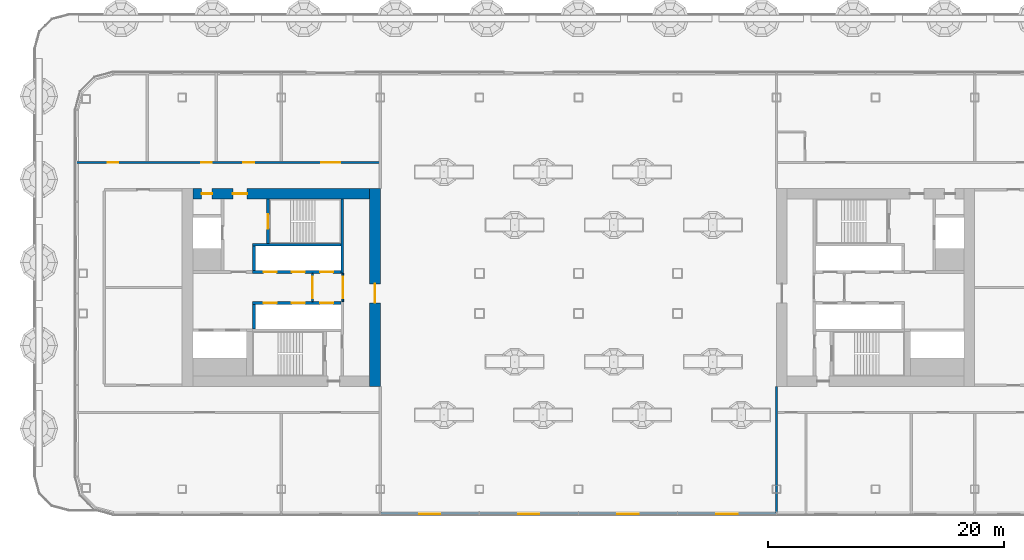
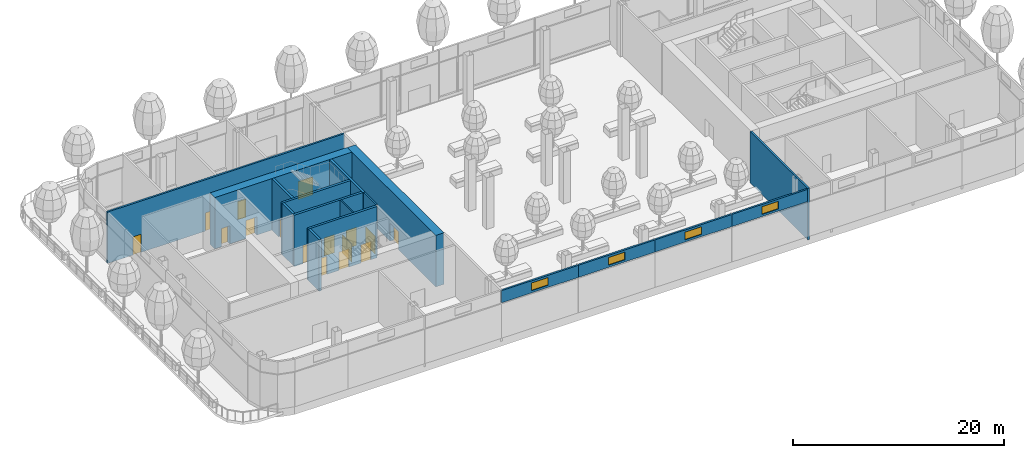
# One storey, part 13 of 43: 17 walls, 16 doors, 4 windows, 20 openings, 1 element without a shape of its own.
"""IFC4 building model written with IfcOpenShell, lengths in metres."""

from ifc_helpers import new_model, si_unit, direction, frame, frame_2d, origin, place, context, subcontext, project, spatial, rectangle, extrude, material, layer, layer_set, type_object, element, fill, aggregate, save


model = new_model("IFC4")

# Units and contexts
model_context = context("Model", 3, precision=1e-05, world=origin(), true_north=direction((0.0, 1.0)))
body_context = subcontext(model_context, "Body", "Model", "MODEL_VIEW")
ifc_project = project(units=[si_unit("LENGTHUNIT", "METRE"), si_unit("AREAUNIT", "SQUARE_METRE"), si_unit("VOLUMEUNIT", "CUBIC_METRE"), si_unit("PLANEANGLEUNIT", "RADIAN"), si_unit("MASSUNIT", "GRAM", prefix="KILO")], contexts=[model_context])

# Site, building, storey
site_placement = place(None, origin())
site = spatial("IfcSite", under=ifc_project, at=site_placement, CompositionType="ELEMENT")
building_placement = place(site_placement, origin())
building = spatial("IfcBuilding", under=site, at=building_placement, Name="Hakoniwa Tower and Hamabe Station Hall", CompositionType="ELEMENT")
storey_placement = place(building_placement, frame((0.0, 0.0, 124.60009765625)))
storey = spatial("IfcBuildingStorey", under=building, at=storey_placement, Name="L35", CompositionType="ELEMENT", Elevation=124.60009765625)

# Wall, opening, door
ifc_material_1 = material(Name="Gypsum board partition")
ifc_layer_1 = layer(ifc_material_1, 0.14990234375)
ifc_layer_set_1 = layer_set([ifc_layer_1], Name="CORE PARTITION 150 EI 60")
wall_type_1 = type_object("IfcWallType", Name="CORE PARTITION 150 EI 60", PredefinedType="PARTITIONING", material=ifc_layer_set_1)
wall_1_placement = place(storey_placement, frame((-19.97509765625, -1.199951171875, 0.0), z_axis=(0.0, 0.0, 1.0), x_axis=(0.0, 1.0, 0.0)))
wall_1 = element("IfcWall", 1, at=wall_1_placement, inside=storey, type_object=wall_type_1, Name="Core partition PL0 west", PredefinedType="PARTITIONING", context=body_context, shape_type="SweptSolid", body=[
    extrude(rectangle(XDim=2.39990234375, YDim=0.14990234375, at=frame_2d((1.199951171875, 0.0))), origin(), (0.0, 0.0, 1.0), 5.949951171875),
])
opening_1_placement = place(wall_1_placement, frame((0.300048828125, 0.0, 0.0)))
opening_1 = element("IfcOpeningElement", 2, at=opening_1_placement, cuts=wall_1, Name="Opening CD-W-LP0-18", PredefinedType="OPENING", context=body_context, shape_type="SweptSolid", body=[
    extrude(rectangle(XDim=1.800048828125, YDim=2.10009765625, at=frame_2d((0.89990234375, 1.050048828125))), frame((0.0, 0.0849609375, 0.0), z_axis=(0.0, -1.0, 0.0), x_axis=(1.0, 0.0, 0.0)), (0.0, 0.0, 1.0), 0.169921875),
])
ifc_material_2 = material(Name="Steel fire door", Category="steel")
door_type_1 = type_object("IfcDoorType", Name="CORE DOOR 1800 FD60", OperationType="DOUBLE_DOOR_SINGLE_SWING", PredefinedType="DOOR", material=ifc_material_2)
door_1_placement = place(opening_1_placement, origin())
door_1 = element("IfcDoor", 3, at=door_1_placement, inside=storey, type_object=door_type_1, Name="Lift lobby partition door", OperationType="DOUBLE_DOOR_SINGLE_SWING", OverallHeight=2.10009765625, OverallWidth=1.800048828125, PredefinedType="DOOR", context=body_context, shape_type="SweptSolid", body=[
    extrude(rectangle(XDim=1.800048828125, YDim=2.10009765625, at=frame_2d((0.89990234375, 1.050048828125))), frame((0.0, 0.02490234375, 0.0), z_axis=(0.0, -1.0, 0.0), x_axis=(1.0, 0.0, 0.0)), (0.0, 0.0, 1.0), 0.050048828125),
])
fill(opening_1, door_1)

wall_2_placement = place(storey_placement, frame((-22.550048828125, -1.199951171875, 0.0), z_axis=(0.0, 0.0, 1.0), x_axis=(0.0, 1.0, 0.0)))
wall_2 = element("IfcWall", 4, at=wall_2_placement, inside=storey, type_object=wall_type_1, Name="Core partition PL1 west", PredefinedType="PARTITIONING", context=body_context, shape_type="SweptSolid", body=[
    extrude(rectangle(XDim=2.39990234375, YDim=0.14990234375, at=frame_2d((1.199951171875, 0.0))), origin(), (0.0, 0.0, 1.0), 5.949951171875),
])
opening_2_placement = place(wall_2_placement, frame((0.300048828125, 0.0, 0.0)))
opening_2 = element("IfcOpeningElement", 5, at=opening_2_placement, cuts=wall_2, Name="Opening CD-W-LP1-18", PredefinedType="OPENING", context=body_context, shape_type="SweptSolid", body=[
    extrude(rectangle(XDim=1.800048828125, YDim=2.10009765625, at=frame_2d((0.89990234375, 1.050048828125))), frame((0.0, 0.0849609375, 0.0), z_axis=(0.0, -1.0, 0.0), x_axis=(1.0, 0.0, 0.0)), (0.0, 0.0, 1.0), 0.169921875),
])
door_2_placement = place(opening_2_placement, origin())
door_2 = element("IfcDoor", 6, at=door_2_placement, inside=storey, type_object=door_type_1, Name="Lift lobby partition door", OperationType="DOUBLE_DOOR_SINGLE_SWING", OverallHeight=2.10009765625, OverallWidth=1.800048828125, PredefinedType="DOOR", context=body_context, shape_type="SweptSolid", body=[
    extrude(rectangle(XDim=1.800048828125, YDim=2.10009765625, at=frame_2d((0.89990234375, 1.050048828125))), frame((0.0, 0.02490234375, 0.0), z_axis=(0.0, -1.0, 0.0), x_axis=(1.0, 0.0, 0.0)), (0.0, 0.0, 1.0), 0.050048828125),
])
fill(opening_2, door_2)

ifc_material_3 = material(Name="Concrete C66", Category="concrete")
ifc_layer_2 = layer(ifc_material_3, 0.89990234375)
ifc_layer_set_2 = layer_set([ifc_layer_2], Name="CORE WALL 900 C66")
wall_type_2 = type_object("IfcWallType", Name="CORE WALL 900 C66", PredefinedType="SHEAR", material=ifc_layer_set_2)
wall_3_placement = place(storey_placement, frame((-17.25, -8.39990234375, 0.0), z_axis=(0.0, 0.0, 1.0), x_axis=(0.0, 1.0, 0.0)))
wall_3 = element("IfcWall", 7, at=wall_3_placement, inside=storey, type_object=wall_type_2, Name="Core wall INNER west", PredefinedType="SHEAR", context=body_context, shape_type="SweptSolid", body=[
    extrude(rectangle(XDim=16.7998046875, YDim=0.89990234375, at=frame_2d((8.39990234375, 0.0))), origin(), (0.0, 0.0, 1.0), 5.949951171875),
])
opening_3_placement = place(wall_3_placement, frame((7.10009765625, 0.0, 0.0)))
opening_3 = element("IfcOpeningElement", 8, at=opening_3_placement, cuts=wall_3, Name="Opening CD-W-IN1-16", PredefinedType="OPENING", context=body_context, shape_type="SweptSolid", body=[
    extrude(rectangle(XDim=1.60009765625, YDim=2.10009765625, at=frame_2d((0.800048828125, 1.050048828125))), frame((0.0, 0.4599609375, 0.0), z_axis=(0.0, -1.0, 0.0), x_axis=(1.0, 0.0, 0.0)), (0.0, 0.0, 1.0), 0.919921875),
])
ifc_material_4 = material(Name="Steel fire door", Category="steel")
door_type_2 = type_object("IfcDoorType", Name="CORE DOOR 1600 FD60", OperationType="DOUBLE_DOOR_SINGLE_SWING", PredefinedType="DOOR", material=ifc_material_4)
door_3_placement = place(opening_3_placement, origin())
door_3 = element("IfcDoor", 9, at=door_3_placement, inside=storey, type_object=door_type_2, Name="Lift lobby door", OperationType="DOUBLE_DOOR_SINGLE_SWING", OverallHeight=2.10009765625, OverallWidth=1.60009765625, PredefinedType="DOOR", context=body_context, shape_type="SweptSolid", body=[
    extrude(rectangle(XDim=1.60009765625, YDim=2.10009765625, at=frame_2d((0.800048828125, 1.050048828125))), frame((0.0, 0.02490234375, 0.0), z_axis=(0.0, -1.0, 0.0), x_axis=(1.0, 0.0, 0.0)), (0.0, 0.0, 1.0), 0.050048828125),
])
fill(opening_3, door_3)

# Wall, openings, doors
wall_4_placement = place(storey_placement, frame((-32.699951171875, 7.949951171875, 0.0), z_axis=(0.0, 0.0, 1.0), x_axis=(1.0, 0.0, 0.0)))
wall_4 = element("IfcWall", 10, at=wall_4_placement, inside=storey, type_object=wall_type_2, Name="Core wall NORTH west", PredefinedType="SHEAR", context=body_context, shape_type="SweptSolid", body=[
    extrude(rectangle(XDim=15.0, YDim=0.89990234375, at=frame_2d((7.5, 0.0))), origin(), (0.0, 0.0, 1.0), 5.949951171875),
])
opening_4_placement = place(wall_4_placement, frame((3.39990234375, 0.0, 0.0)))
opening_4 = element("IfcOpeningElement", 11, at=opening_4_placement, cuts=wall_4, Name="Opening CD-W-FN1-12", PredefinedType="OPENING", context=body_context, shape_type="SweptSolid", body=[
    extrude(rectangle(XDim=1.199951171875, YDim=2.10009765625, at=frame_2d((0.60009765625, 1.050048828125))), frame((0.0, 0.4599609375, 0.0), z_axis=(0.0, -1.0, 0.0), x_axis=(1.0, 0.0, 0.0)), (0.0, 0.0, 1.0), 0.919921875),
])
opening_5_placement = place(wall_4_placement, frame((0.75, 0.0, 0.0)))
opening_5 = element("IfcOpeningElement", 12, at=opening_5_placement, cuts=wall_4, Name="Opening CD-W-FN2-9", PredefinedType="OPENING", context=body_context, shape_type="SweptSolid", body=[
    extrude(rectangle(XDim=0.89990234375, YDim=2.10009765625, at=frame_2d((0.449951171875, 1.050048828125))), frame((0.0, 0.4599609375, 0.0), z_axis=(0.0, -1.0, 0.0), x_axis=(1.0, 0.0, 0.0)), (0.0, 0.0, 1.0), 0.919921875),
])
ifc_material_5 = material(Name="Steel fire door", Category="steel")
door_type_3 = type_object("IfcDoorType", Name="CORE DOOR 1200 FD60", OperationType="DOUBLE_DOOR_SINGLE_SWING", PredefinedType="DOOR", material=ifc_material_5)
door_4_placement = place(opening_4_placement, origin())
door_4 = element("IfcDoor", 13, at=door_4_placement, inside=storey, type_object=door_type_3, Name="Stair vestibule door to the fire-fighting lobby", OperationType="DOUBLE_DOOR_SINGLE_SWING", OverallHeight=2.10009765625, OverallWidth=1.199951171875, PredefinedType="DOOR", context=body_context, shape_type="SweptSolid", body=[
    extrude(rectangle(XDim=1.199951171875, YDim=2.10009765625, at=frame_2d((0.60009765625, 1.050048828125))), frame((0.0, 0.02490234375, 0.0), z_axis=(0.0, -1.0, 0.0), x_axis=(1.0, 0.0, 0.0)), (0.0, 0.0, 1.0), 0.050048828125),
])
fill(opening_4, door_4)
ifc_material_6 = material(Name="Steel fire door", Category="steel")
door_type_4 = type_object("IfcDoorType", Name="CORE DOOR 900 FD30", OperationType="NOTDEFINED", PredefinedType="DOOR", material=ifc_material_6)
door_5_placement = place(opening_5_placement, origin())
door_5 = element("IfcDoor", 14, at=door_5_placement, inside=storey, type_object=door_type_4, Name="Riser access door", OperationType="SINGLE_SWING_LEFT", OverallHeight=2.10009765625, OverallWidth=0.89990234375, PredefinedType="DOOR", context=body_context, shape_type="SweptSolid", body=[
    extrude(rectangle(XDim=0.89990234375, YDim=2.10009765625, at=frame_2d((0.449951171875, 1.050048828125))), frame((0.0, 0.02490234375, 0.0), z_axis=(0.0, -1.0, 0.0), x_axis=(1.0, 0.0, 0.0)), (0.0, 0.0, 1.0), 0.050048828125),
])
fill(opening_5, door_5)

# Wall
ifc_material_7 = material(Name="Concrete C66", Category="concrete")
ifc_layer_3 = layer(ifc_material_7, 0.25)
ifc_layer_set_3 = layer_set([ifc_layer_3], Name="CORE WEB WALL 250 C66")
wall_type_3 = type_object("IfcWallType", Name="CORE WEB WALL 250 C66", PredefinedType="SHEAR", material=ifc_layer_set_3)
wall_5_placement = place(storey_placement, frame((-20.02490234375, 1.199951171875, 0.0), z_axis=(0.0, 0.0, 1.0), x_axis=(0.0, 1.0, 0.0)))
element("IfcWall", 15, at=wall_5_placement, inside=storey, type_object=wall_type_3, Name="Core wall W1N west", PredefinedType="SHEAR", context=body_context, shape_type="SweptSolid", body=[
    extrude(rectangle(XDim=6.300048828125, YDim=0.25, at=frame_2d((3.14990234375, 0.0))), origin(), (0.0, 0.0, 1.0), 5.949951171875),
])

# Wall, openings, doors
wall_6_placement = place(storey_placement, frame((-27.64990234375, 1.324951171875, 0.0), z_axis=(0.0, 0.0, 1.0), x_axis=(1.0, 0.0, 0.0)))
wall_6 = element("IfcWall", 16, at=wall_6_placement, inside=storey, type_object=wall_type_3, Name="Core wall NF west", PredefinedType="SHEAR", context=body_context, shape_type="SweptSolid", body=[
    extrude(rectangle(XDim=7.5, YDim=0.25, at=frame_2d((3.75, 0.0))), origin(), (0.0, 0.0, 1.0), 5.949951171875),
])
opening_6_placement = place(wall_6_placement, frame((5.75, 0.0, 0.0)))
opening_6 = element("IfcOpeningElement", 17, at=opening_6_placement, cuts=wall_6, Name="Opening LD-LR1", PredefinedType="OPENING", context=body_context, shape_type="SweptSolid", body=[
    extrude(rectangle(XDim=1.10009765625, YDim=2.10009765625, at=frame_2d((0.550048828125, 1.050048828125))), frame((0.0, 0.135009765625, 0.0), z_axis=(0.0, -1.0, 0.0), x_axis=(1.0, 0.0, 0.0)), (0.0, 0.0, 1.0), 0.27001953125),
])
opening_7_placement = place(wall_6_placement, frame((3.35009765625, 0.0, 0.0)))
opening_7 = element("IfcOpeningElement", 18, at=opening_7_placement, cuts=wall_6, Name="Opening LD-LR2", PredefinedType="OPENING", context=body_context, shape_type="SweptSolid", body=[
    extrude(rectangle(XDim=1.10009765625, YDim=2.10009765625, at=frame_2d((0.550048828125, 1.050048828125))), frame((0.0, 0.135009765625, 0.0), z_axis=(0.0, -1.0, 0.0), x_axis=(1.0, 0.0, 0.0)), (0.0, 0.0, 1.0), 0.27001953125),
])
opening_8_placement = place(wall_6_placement, frame((0.949951171875, 0.0, 0.0)))
opening_8 = element("IfcOpeningElement", 19, at=opening_8_placement, cuts=wall_6, Name="Opening LD-LR3", PredefinedType="OPENING", context=body_context, shape_type="SweptSolid", body=[
    extrude(rectangle(XDim=1.10009765625, YDim=2.10009765625, at=frame_2d((0.550048828125, 1.050048828125))), frame((0.0, 0.135009765625, 0.0), z_axis=(0.0, -1.0, 0.0), x_axis=(1.0, 0.0, 0.0)), (0.0, 0.0, 1.0), 0.27001953125),
])
ifc_material_8 = material(Name="Stainless steel SUS304", Category="steel")
door_type_5 = type_object("IfcDoorType", Name="LIFT LANDING DOOR 1100 FD60", OperationType="DOUBLE_DOOR_SLIDING", PredefinedType="DOOR", material=ifc_material_8)
door_6_placement = place(opening_6_placement, origin())
door_6 = element("IfcDoor", 20, at=door_6_placement, inside=storey, type_object=door_type_5, Name="Lift landing door LR1 L35", OperationType="DOUBLE_DOOR_SLIDING", OverallHeight=2.10009765625, OverallWidth=1.10009765625, PredefinedType="DOOR", context=body_context, shape_type="SweptSolid", body=[
    extrude(rectangle(XDim=1.10009765625, YDim=2.10009765625, at=frame_2d((0.550048828125, 1.050048828125))), frame((0.0, 0.02490234375, 0.0), z_axis=(0.0, -1.0, 0.0), x_axis=(1.0, 0.0, 0.0)), (0.0, 0.0, 1.0), 0.050048828125),
])
fill(opening_6, door_6)
door_7_placement = place(opening_7_placement, origin())
door_7 = element("IfcDoor", 21, at=door_7_placement, inside=storey, type_object=door_type_5, Name="Lift landing door LR2 L35", OperationType="DOUBLE_DOOR_SLIDING", OverallHeight=2.10009765625, OverallWidth=1.10009765625, PredefinedType="DOOR", context=body_context, shape_type="SweptSolid", body=[
    extrude(rectangle(XDim=1.10009765625, YDim=2.10009765625, at=frame_2d((0.550048828125, 1.050048828125))), frame((0.0, 0.02490234375, 0.0), z_axis=(0.0, -1.0, 0.0), x_axis=(1.0, 0.0, 0.0)), (0.0, 0.0, 1.0), 0.050048828125),
])
fill(opening_7, door_7)
door_8_placement = place(opening_8_placement, origin())
door_8 = element("IfcDoor", 22, at=door_8_placement, inside=storey, type_object=door_type_5, Name="Lift landing door LR3 L35", OperationType="DOUBLE_DOOR_SLIDING", OverallHeight=2.10009765625, OverallWidth=1.10009765625, PredefinedType="DOOR", context=body_context, shape_type="SweptSolid", body=[
    extrude(rectangle(XDim=1.10009765625, YDim=2.10009765625, at=frame_2d((0.550048828125, 1.050048828125))), frame((0.0, 0.02490234375, 0.0), z_axis=(0.0, -1.0, 0.0), x_axis=(1.0, 0.0, 0.0)), (0.0, 0.0, 1.0), 0.050048828125),
])
fill(opening_8, door_8)

# Walls
wall_7_placement = place(storey_placement, frame((-27.52490234375, 1.449951171875, 0.0), z_axis=(0.0, 0.0, 1.0), x_axis=(0.0, 1.0, 0.0)))
element("IfcWall", 23, at=wall_7_placement, inside=storey, type_object=wall_type_3, Name="Core wall NE west", PredefinedType="SHEAR", context=body_context, shape_type="SweptSolid", body=[
    extrude(rectangle(XDim=2.050048828125, YDim=0.25, at=frame_2d((1.02490234375, 0.0))), origin(), (0.0, 0.0, 1.0), 5.949951171875),
])
wall_8_placement = place(storey_placement, frame((-27.64990234375, 3.625, 0.0), z_axis=(0.0, 0.0, 1.0), x_axis=(1.0, 0.0, 0.0)))
element("IfcWall", 24, at=wall_8_placement, inside=storey, type_object=wall_type_3, Name="Core wall NR west", PredefinedType="SHEAR", context=body_context, shape_type="SweptSolid", body=[
    extrude(rectangle(XDim=7.5, YDim=0.25, at=frame_2d((3.75, 0.0))), origin(), (0.0, 0.0, 1.0), 5.949951171875),
])

# Wall, opening, door
wall_9_placement = place(storey_placement, frame((-26.324951171875, 3.75, 0.0), z_axis=(0.0, 0.0, 1.0), x_axis=(0.0, 1.0, 0.0)))
wall_9 = element("IfcWall", 25, at=wall_9_placement, inside=storey, type_object=wall_type_3, Name="Core wall NSE west", PredefinedType="SHEAR", context=body_context, shape_type="SweptSolid", body=[
    extrude(rectangle(XDim=3.75, YDim=0.25, at=frame_2d((1.875, 0.0))), origin(), (0.0, 0.0, 1.0), 5.949951171875),
])
opening_9_placement = place(wall_9_placement, frame((1.25, 0.0, 0.0)))
opening_9 = element("IfcOpeningElement", 26, at=opening_9_placement, cuts=wall_9, Name="Opening CD-W-SN-12", PredefinedType="OPENING", context=body_context, shape_type="SweptSolid", body=[
    extrude(rectangle(XDim=1.199951171875, YDim=2.10009765625, at=frame_2d((0.60009765625, 1.050048828125))), frame((0.0, 0.135009765625, 0.0), z_axis=(0.0, -1.0, 0.0), x_axis=(1.0, 0.0, 0.0)), (0.0, 0.0, 1.0), 0.27001953125),
])
door_9_placement = place(opening_9_placement, origin())
door_9 = element("IfcDoor", 27, at=door_9_placement, inside=storey, type_object=door_type_3, Name="Escape stair door", OperationType="DOUBLE_DOOR_SINGLE_SWING", OverallHeight=2.10009765625, OverallWidth=1.199951171875, PredefinedType="DOOR", context=body_context, shape_type="SweptSolid", body=[
    extrude(rectangle(XDim=1.199951171875, YDim=2.10009765625, at=frame_2d((0.60009765625, 1.050048828125))), frame((0.0, 0.02490234375, 0.0), z_axis=(0.0, -1.0, 0.0), x_axis=(1.0, 0.0, 0.0)), (0.0, 0.0, 1.0), 0.050048828125),
])
fill(opening_9, door_9)

# Wall, openings, doors
wall_10_placement = place(storey_placement, frame((-27.64990234375, -1.324951171875, 0.0), z_axis=(0.0, 0.0, 1.0), x_axis=(1.0, 0.0, 0.0)))
wall_10 = element("IfcWall", 28, at=wall_10_placement, inside=storey, type_object=wall_type_3, Name="Core wall SF west", PredefinedType="SHEAR", context=body_context, shape_type="SweptSolid", body=[
    extrude(rectangle(XDim=7.5, YDim=0.25, at=frame_2d((3.75, 0.0))), origin(), (0.0, 0.0, 1.0), 5.949951171875),
])
opening_10_placement = place(wall_10_placement, frame((5.75, 0.0, 0.0)))
opening_10 = element("IfcOpeningElement", 29, at=opening_10_placement, cuts=wall_10, Name="Opening LD-HR1", PredefinedType="OPENING", context=body_context, shape_type="SweptSolid", body=[
    extrude(rectangle(XDim=1.10009765625, YDim=2.10009765625, at=frame_2d((0.550048828125, 1.050048828125))), frame((0.0, 0.135009765625, 0.0), z_axis=(0.0, -1.0, 0.0), x_axis=(1.0, 0.0, 0.0)), (0.0, 0.0, 1.0), 0.27001953125),
])
opening_11_placement = place(wall_10_placement, frame((3.35009765625, 0.0, 0.0)))
opening_11 = element("IfcOpeningElement", 30, at=opening_11_placement, cuts=wall_10, Name="Opening LD-HR2", PredefinedType="OPENING", context=body_context, shape_type="SweptSolid", body=[
    extrude(rectangle(XDim=1.10009765625, YDim=2.10009765625, at=frame_2d((0.550048828125, 1.050048828125))), frame((0.0, 0.135009765625, 0.0), z_axis=(0.0, -1.0, 0.0), x_axis=(1.0, 0.0, 0.0)), (0.0, 0.0, 1.0), 0.27001953125),
])
opening_12_placement = place(wall_10_placement, frame((0.949951171875, 0.0, 0.0)))
opening_12 = element("IfcOpeningElement", 31, at=opening_12_placement, cuts=wall_10, Name="Opening LD-HR3", PredefinedType="OPENING", context=body_context, shape_type="SweptSolid", body=[
    extrude(rectangle(XDim=1.10009765625, YDim=2.10009765625, at=frame_2d((0.550048828125, 1.050048828125))), frame((0.0, 0.135009765625, 0.0), z_axis=(0.0, -1.0, 0.0), x_axis=(1.0, 0.0, 0.0)), (0.0, 0.0, 1.0), 0.27001953125),
])
door_10_placement = place(opening_10_placement, origin())
door_10 = element("IfcDoor", 32, at=door_10_placement, inside=storey, type_object=door_type_5, Name="Lift landing door HR1 L35", OperationType="DOUBLE_DOOR_SLIDING", OverallHeight=2.10009765625, OverallWidth=1.10009765625, PredefinedType="DOOR", context=body_context, shape_type="SweptSolid", body=[
    extrude(rectangle(XDim=1.10009765625, YDim=2.10009765625, at=frame_2d((0.550048828125, 1.050048828125))), frame((0.0, 0.02490234375, 0.0), z_axis=(0.0, -1.0, 0.0), x_axis=(1.0, 0.0, 0.0)), (0.0, 0.0, 1.0), 0.050048828125),
])
fill(opening_10, door_10)
door_11_placement = place(opening_11_placement, origin())
door_11 = element("IfcDoor", 33, at=door_11_placement, inside=storey, type_object=door_type_5, Name="Lift landing door HR2 L35", OperationType="DOUBLE_DOOR_SLIDING", OverallHeight=2.10009765625, OverallWidth=1.10009765625, PredefinedType="DOOR", context=body_context, shape_type="SweptSolid", body=[
    extrude(rectangle(XDim=1.10009765625, YDim=2.10009765625, at=frame_2d((0.550048828125, 1.050048828125))), frame((0.0, 0.02490234375, 0.0), z_axis=(0.0, -1.0, 0.0), x_axis=(1.0, 0.0, 0.0)), (0.0, 0.0, 1.0), 0.050048828125),
])
fill(opening_11, door_11)
door_12_placement = place(opening_12_placement, origin())
door_12 = element("IfcDoor", 34, at=door_12_placement, inside=storey, type_object=door_type_5, Name="Lift landing door HR3 L35", OperationType="DOUBLE_DOOR_SLIDING", OverallHeight=2.10009765625, OverallWidth=1.10009765625, PredefinedType="DOOR", context=body_context, shape_type="SweptSolid", body=[
    extrude(rectangle(XDim=1.10009765625, YDim=2.10009765625, at=frame_2d((0.550048828125, 1.050048828125))), frame((0.0, 0.02490234375, 0.0), z_axis=(0.0, -1.0, 0.0), x_axis=(1.0, 0.0, 0.0)), (0.0, 0.0, 1.0), 0.050048828125),
])
fill(opening_12, door_12)

# Wall
wall_11_placement = place(storey_placement, frame((-27.52490234375, -3.5, 0.0), z_axis=(0.0, 0.0, 1.0), x_axis=(0.0, 1.0, 0.0)))
element("IfcWall", 35, at=wall_11_placement, inside=storey, type_object=wall_type_3, Name="Core wall SE west", PredefinedType="SHEAR", context=body_context, shape_type="SweptSolid", body=[
    extrude(rectangle(XDim=2.050048828125, YDim=0.25, at=frame_2d((1.02490234375, 0.0))), origin(), (0.0, 0.0, 1.0), 5.949951171875),
])

# Wall, openings, doors
ifc_material_9 = material(Name="Fire-rated gypsum board partition", Category="gypsum")
ifc_layer_4 = layer(ifc_material_9, 0.199951171875)
ifc_layer_set_4 = layer_set([ifc_layer_4], Name="Corridor Wall 200")
wall_type_4 = type_object("IfcWallType", Name="Corridor Wall 200", PredefinedType="PARTITIONING", material=ifc_layer_set_4)
wall_12_placement = place(storey_placement, frame((-42.699951171875, 10.60009765625, 0.0), z_axis=(0.0, 0.0, 1.0), x_axis=(1.0, 0.0, 0.0)))
wall_12 = element("IfcWall", 36, at=wall_12_placement, inside=storey, type_object=wall_type_4, Name="GW-L35-009", PredefinedType="PARTITIONING", context=body_context, shape_type="SweptSolid", body=[
    extrude(rectangle(XDim=25.89990234375, YDim=0.199951171875, at=frame_2d((12.949951171875, 0.0))), origin(), (0.0, 0.0, 1.0), 5.949951171875),
])
opening_13_placement = place(wall_12_placement, frame((2.77490234375, 0.0, 0.0)))
opening_13 = element("IfcOpeningElement", 37, at=opening_13_placement, cuts=wall_12, Name="Opening GD-SL35-11", PredefinedType="OPENING", context=body_context, shape_type="SweptSolid", body=[
    extrude(rectangle(XDim=0.89990234375, YDim=2.10009765625, at=frame_2d((0.449951171875, 1.050048828125))), frame((0.0, 0.10986328125, 0.0), z_axis=(0.0, -1.0, 0.0), x_axis=(1.0, 0.0, 0.0)), (0.0, 0.0, 1.0), 0.219970703125),
])
opening_14_placement = place(wall_12_placement, frame((10.72509765625, 0.0, 0.0)))
opening_14 = element("IfcOpeningElement", 38, at=opening_14_placement, cuts=wall_12, Name="Opening GD-SL35-12", PredefinedType="OPENING", context=body_context, shape_type="SweptSolid", body=[
    extrude(rectangle(XDim=0.89990234375, YDim=2.10009765625, at=frame_2d((0.449951171875, 1.050048828125))), frame((0.0, 0.10986328125, 0.0), z_axis=(0.0, -1.0, 0.0), x_axis=(1.0, 0.0, 0.0)), (0.0, 0.0, 1.0), 0.219970703125),
])
opening_15_placement = place(wall_12_placement, frame((14.300048828125, 0.0, 0.0)))
opening_15 = element("IfcOpeningElement", 39, at=opening_15_placement, cuts=wall_12, Name="Opening GD-SL35-13", PredefinedType="OPENING", context=body_context, shape_type="SweptSolid", body=[
    extrude(rectangle(XDim=0.89990234375, YDim=2.10009765625, at=frame_2d((0.449951171875, 1.050048828125))), frame((0.0, 0.10986328125, 0.0), z_axis=(0.0, -1.0, 0.0), x_axis=(1.0, 0.0, 0.0)), (0.0, 0.0, 1.0), 0.219970703125),
])
opening_16_placement = place(wall_12_placement, frame((20.89990234375, 0.0, 0.0)))
opening_16 = element("IfcOpeningElement", 40, at=opening_16_placement, cuts=wall_12, Name="Opening GD-SL35-14", PredefinedType="OPENING", context=body_context, shape_type="SweptSolid", body=[
    extrude(rectangle(XDim=1.60009765625, YDim=2.10009765625, at=frame_2d((0.800048828125, 1.050048828125))), frame((0.0, 0.10986328125, 0.0), z_axis=(0.0, -1.0, 0.0), x_axis=(1.0, 0.0, 0.0)), (0.0, 0.0, 1.0), 0.219970703125),
])
ifc_material_10 = material(Name="Timber door leaf", Category="wood")
door_type_6 = type_object("IfcDoorType", Name="Double Door 1600", OperationType="DOUBLE_DOOR_SINGLE_SWING", PredefinedType="DOOR", material=ifc_material_10)
door_13_placement = place(opening_16_placement, origin())
door_13 = element("IfcDoor", 41, at=door_13_placement, inside=storey, type_object=door_type_6, Name="Door GD-SL35-14", OperationType="DOUBLE_DOOR_SINGLE_SWING", OverallHeight=2.10009765625, OverallWidth=1.60009765625, PredefinedType="DOOR", context=body_context, shape_type="SweptSolid", body=[
    extrude(rectangle(XDim=1.60009765625, YDim=2.10009765625, at=frame_2d((0.800048828125, 1.050048828125))), frame((0.0, 0.02490234375, 0.0), z_axis=(0.0, -1.0, 0.0), x_axis=(1.0, 0.0, 0.0)), (0.0, 0.0, 1.0), 0.050048828125),
])
fill(opening_16, door_13)
ifc_material_11 = material(Name="Timber door leaf", Category="wood")
door_type_7 = type_object("IfcDoorType", Name="Service Door 900", OperationType="SINGLE_SWING_LEFT", PredefinedType="DOOR", material=ifc_material_11)
door_14_placement = place(opening_13_placement, origin())
door_14 = element("IfcDoor", 42, at=door_14_placement, inside=storey, type_object=door_type_7, Name="Door GD-SL35-11", OperationType="SINGLE_SWING_RIGHT", OverallHeight=2.10009765625, OverallWidth=0.89990234375, PredefinedType="DOOR", context=body_context, shape_type="SweptSolid", body=[
    extrude(rectangle(XDim=0.89990234375, YDim=2.10009765625, at=frame_2d((0.449951171875, 1.050048828125))), frame((0.0, 0.02490234375, 0.0), z_axis=(0.0, -1.0, 0.0), x_axis=(1.0, 0.0, 0.0)), (0.0, 0.0, 1.0), 0.050048828125),
])
fill(opening_13, door_14)
door_15_placement = place(opening_14_placement, origin())
door_15 = element("IfcDoor", 43, at=door_15_placement, inside=storey, type_object=door_type_7, Name="Door GD-SL35-12", OperationType="SINGLE_SWING_LEFT", OverallHeight=2.10009765625, OverallWidth=0.89990234375, PredefinedType="DOOR", context=body_context, shape_type="SweptSolid", body=[
    extrude(rectangle(XDim=0.89990234375, YDim=2.10009765625, at=frame_2d((0.449951171875, 1.050048828125))), frame((0.0, 0.02490234375, 0.0), z_axis=(0.0, -1.0, 0.0), x_axis=(1.0, 0.0, 0.0)), (0.0, 0.0, 1.0), 0.050048828125),
])
fill(opening_14, door_15)
door_16_placement = place(opening_15_placement, origin())
door_16 = element("IfcDoor", 44, at=door_16_placement, inside=storey, type_object=door_type_7, Name="Door GD-SL35-13", OperationType="SINGLE_SWING_RIGHT", OverallHeight=2.10009765625, OverallWidth=0.89990234375, PredefinedType="DOOR", context=body_context, shape_type="SweptSolid", body=[
    extrude(rectangle(XDim=0.89990234375, YDim=2.10009765625, at=frame_2d((0.449951171875, 1.050048828125))), frame((0.0, 0.02490234375, 0.0), z_axis=(0.0, -1.0, 0.0), x_axis=(1.0, 0.0, 0.0)), (0.0, 0.0, 1.0), 0.050048828125),
])
fill(opening_15, door_16)

# Wall
ifc_material_12 = material(Name="Fire-rated gypsum board partition", Category="gypsum")
ifc_layer_5 = layer(ifc_material_12, 0.199951171875)
ifc_layer_set_5 = layer_set([ifc_layer_5], Name="Party Wall 200")
wall_type_5 = type_object("IfcWallType", Name="Party Wall 200", PredefinedType="PARTITIONING", material=ifc_layer_set_5)
wall_13_placement = place(storey_placement, frame((16.800048828125, -19.300048828125, 0.0), z_axis=(0.0, 0.0, 1.0), x_axis=(0.0, 1.0, 0.0)))
element("IfcWall", 45, at=wall_13_placement, inside=storey, type_object=wall_type_5, Name="GW-L35-019", PredefinedType="PARTITIONING", context=body_context, shape_type="SweptSolid", body=[
    extrude(rectangle(XDim=10.91015625, YDim=0.199951171875, at=frame_2d((5.455078125, 0.0))), origin(), (0.0, 0.0, 1.0), 5.949951171875),
])

# Curtain wall, walls, openings, windows
ifc_material_13 = material(Name="Dark low-e laminated glass", Category="glass")
ifc_layer_6 = layer(ifc_material_13, 0.199951171875)
ifc_layer_set_6 = layer_set([ifc_layer_6], Name="CW-2 SKY GARDEN")
curtain_wall_type = type_object("IfcCurtainWallType", Name="CW-2 SKY GARDEN", PredefinedType="NOTDEFINED", material=ifc_layer_set_6)
curtain_wall_placement = place(storey_placement, origin())
curtain_wall = element("IfcCurtainWall", 46, at=curtain_wall_placement, inside=storey, type_object=curtain_wall_type, Name="CW-2 curtain wall", PredefinedType="NOTDEFINED")
ifc_material_14 = material(Name="Dark glass-faced aluminium panel", Category="aluminium")
ifc_layer_7 = layer(ifc_material_14, 0.199951171875)
ifc_layer_set_7 = layer_set([ifc_layer_7], Name="VENT BAND WALL")
wall_type_6 = type_object("IfcWallType", Name="VENT BAND WALL", PredefinedType="NOTDEFINED", material=ifc_layer_set_7)
wall_14_placement = place(storey_placement, frame((-16.800048828125, -19.199951171875, 4.449951171875), z_axis=(0.0, 0.0, 1.0), x_axis=(1.0, 0.0, 0.0)))
wall_14 = element("IfcWall", 47, at=wall_14_placement, type_object=wall_type_6, Name="Vent band wall", PredefinedType="NOTDEFINED", context=body_context, shape_type="SweptSolid", body=[
    extrude(rectangle(XDim=8.400146484375, YDim=0.199951171875, at=frame_2d((4.2001953125, 0.0))), origin(), (0.0, 0.0, 1.0), 1.39990234375),
])
opening_17_placement = place(wall_14_placement, frame((3.300048828125, 0.0, 0.25)))
opening_17 = element("IfcOpeningElement", 48, at=opening_17_placement, cuts=wall_14, Name="Opening VW-1", PredefinedType="OPENING", context=body_context, shape_type="SweptSolid", body=[
    extrude(rectangle(XDim=1.800048828125, YDim=0.89990234375, at=frame_2d((0.89990234375, 0.449951171875))), frame((0.0, 0.10986328125, 0.0), z_axis=(0.0, -1.0, 0.0), x_axis=(1.0, 0.0, 0.0)), (0.0, 0.0, 1.0), 0.219970703125),
])
ifc_material_15 = material(Name="Dark low-e laminated glass", Category="glass")
window_type = type_object("IfcWindowType", Name="VENT WINDOW 1800X900", PartitioningType="SINGLE_PANEL", PredefinedType="WINDOW", material=ifc_material_15)
window_1_placement = place(opening_17_placement, origin())
window_1 = element("IfcWindow", 49, at=window_1_placement, inside=storey, type_object=window_type, Name="Vent window", OverallHeight=0.89990234375, OverallWidth=1.800048828125, PartitioningType="SINGLE_PANEL", PredefinedType="WINDOW", context=body_context, shape_type="SweptSolid", body=[
    extrude(rectangle(XDim=1.800048828125, YDim=0.89990234375, at=frame_2d((0.89990234375, 0.449951171875))), frame((0.0, 0.030029296875, 0.0), z_axis=(0.0, -1.0, 0.0), x_axis=(1.0, 0.0, 0.0)), (0.0, 0.0, 1.0), 0.06005859375),
])
fill(opening_17, window_1)
wall_15_placement = place(storey_placement, frame((-8.39990234375, -19.199951171875, 4.449951171875), z_axis=(0.0, 0.0, 1.0), x_axis=(1.0, 0.0, 0.0)))
wall_15 = element("IfcWall", 50, at=wall_15_placement, type_object=wall_type_6, Name="Vent band wall", PredefinedType="NOTDEFINED", context=body_context, shape_type="SweptSolid", body=[
    extrude(rectangle(XDim=8.39990234375, YDim=0.199951171875, at=frame_2d((4.199951171875, 0.0))), origin(), (0.0, 0.0, 1.0), 1.39990234375),
])
opening_18_placement = place(wall_15_placement, frame((3.300048828125, 0.0, 0.25)))
opening_18 = element("IfcOpeningElement", 51, at=opening_18_placement, cuts=wall_15, Name="Opening VW-1", PredefinedType="OPENING", context=body_context, shape_type="SweptSolid", body=[
    extrude(rectangle(XDim=1.800048828125, YDim=0.89990234375, at=frame_2d((0.89990234375, 0.449951171875))), frame((0.0, 0.10986328125, 0.0), z_axis=(0.0, -1.0, 0.0), x_axis=(1.0, 0.0, 0.0)), (0.0, 0.0, 1.0), 0.219970703125),
])
window_2_placement = place(opening_18_placement, origin())
window_2 = element("IfcWindow", 52, at=window_2_placement, inside=storey, type_object=window_type, Name="Vent window", OverallHeight=0.89990234375, OverallWidth=1.800048828125, PartitioningType="SINGLE_PANEL", PredefinedType="WINDOW", context=body_context, shape_type="SweptSolid", body=[
    extrude(rectangle(XDim=1.800048828125, YDim=0.89990234375, at=frame_2d((0.89990234375, 0.449951171875))), frame((0.0, 0.030029296875, 0.0), z_axis=(0.0, -1.0, 0.0), x_axis=(1.0, 0.0, 0.0)), (0.0, 0.0, 1.0), 0.06005859375),
])
fill(opening_18, window_2)
wall_16_placement = place(storey_placement, frame((0.0, -19.199951171875, 4.449951171875), z_axis=(0.0, 0.0, 1.0), x_axis=(1.0, 0.0, 0.0)))
wall_16 = element("IfcWall", 53, at=wall_16_placement, type_object=wall_type_6, Name="Vent band wall", PredefinedType="NOTDEFINED", context=body_context, shape_type="SweptSolid", body=[
    extrude(rectangle(XDim=8.39990234375, YDim=0.199951171875, at=frame_2d((4.199951171875, 0.0))), origin(), (0.0, 0.0, 1.0), 1.39990234375),
])
opening_19_placement = place(wall_16_placement, frame((3.300048828125, 0.0, 0.25)))
opening_19 = element("IfcOpeningElement", 54, at=opening_19_placement, cuts=wall_16, Name="Opening VW-1", PredefinedType="OPENING", context=body_context, shape_type="SweptSolid", body=[
    extrude(rectangle(XDim=1.800048828125, YDim=0.89990234375, at=frame_2d((0.89990234375, 0.449951171875))), frame((0.0, 0.10986328125, 0.0), z_axis=(0.0, -1.0, 0.0), x_axis=(1.0, 0.0, 0.0)), (0.0, 0.0, 1.0), 0.219970703125),
])
window_3_placement = place(opening_19_placement, origin())
window_3 = element("IfcWindow", 55, at=window_3_placement, inside=storey, type_object=window_type, Name="Vent window", OverallHeight=0.89990234375, OverallWidth=1.800048828125, PartitioningType="SINGLE_PANEL", PredefinedType="WINDOW", context=body_context, shape_type="SweptSolid", body=[
    extrude(rectangle(XDim=1.800048828125, YDim=0.89990234375, at=frame_2d((0.89990234375, 0.449951171875))), frame((0.0, 0.030029296875, 0.0), z_axis=(0.0, -1.0, 0.0), x_axis=(1.0, 0.0, 0.0)), (0.0, 0.0, 1.0), 0.06005859375),
])
fill(opening_19, window_3)
wall_17_placement = place(storey_placement, frame((8.39990234375, -19.199951171875, 4.449951171875), z_axis=(0.0, 0.0, 1.0), x_axis=(1.0, 0.0, 0.0)))
wall_17 = element("IfcWall", 56, at=wall_17_placement, type_object=wall_type_6, Name="Vent band wall", PredefinedType="NOTDEFINED", context=body_context, shape_type="SweptSolid", body=[
    extrude(rectangle(XDim=8.400146484375, YDim=0.199951171875, at=frame_2d((4.2001953125, 0.0))), origin(), (0.0, 0.0, 1.0), 1.39990234375),
])
opening_20_placement = place(wall_17_placement, frame((3.300048828125, 0.0, 0.25)))
opening_20 = element("IfcOpeningElement", 57, at=opening_20_placement, cuts=wall_17, Name="Opening VW-1", PredefinedType="OPENING", context=body_context, shape_type="SweptSolid", body=[
    extrude(rectangle(XDim=1.800048828125, YDim=0.89990234375, at=frame_2d((0.89990234375, 0.449951171875))), frame((0.0, 0.10986328125, 0.0), z_axis=(0.0, -1.0, 0.0), x_axis=(1.0, 0.0, 0.0)), (0.0, 0.0, 1.0), 0.219970703125),
])
window_4_placement = place(opening_20_placement, origin())
window_4 = element("IfcWindow", 58, at=window_4_placement, inside=storey, type_object=window_type, Name="Vent window", OverallHeight=0.89990234375, OverallWidth=1.800048828125, PartitioningType="SINGLE_PANEL", PredefinedType="WINDOW", context=body_context, shape_type="SweptSolid", body=[
    extrude(rectangle(XDim=1.800048828125, YDim=0.89990234375, at=frame_2d((0.89990234375, 0.449951171875))), frame((0.0, 0.030029296875, 0.0), z_axis=(0.0, -1.0, 0.0), x_axis=(1.0, 0.0, 0.0)), (0.0, 0.0, 1.0), 0.06005859375),
])
fill(opening_20, window_4)
aggregate(curtain_wall, [wall_14, wall_15, wall_16, wall_17])

save(model, "model.ifc")
